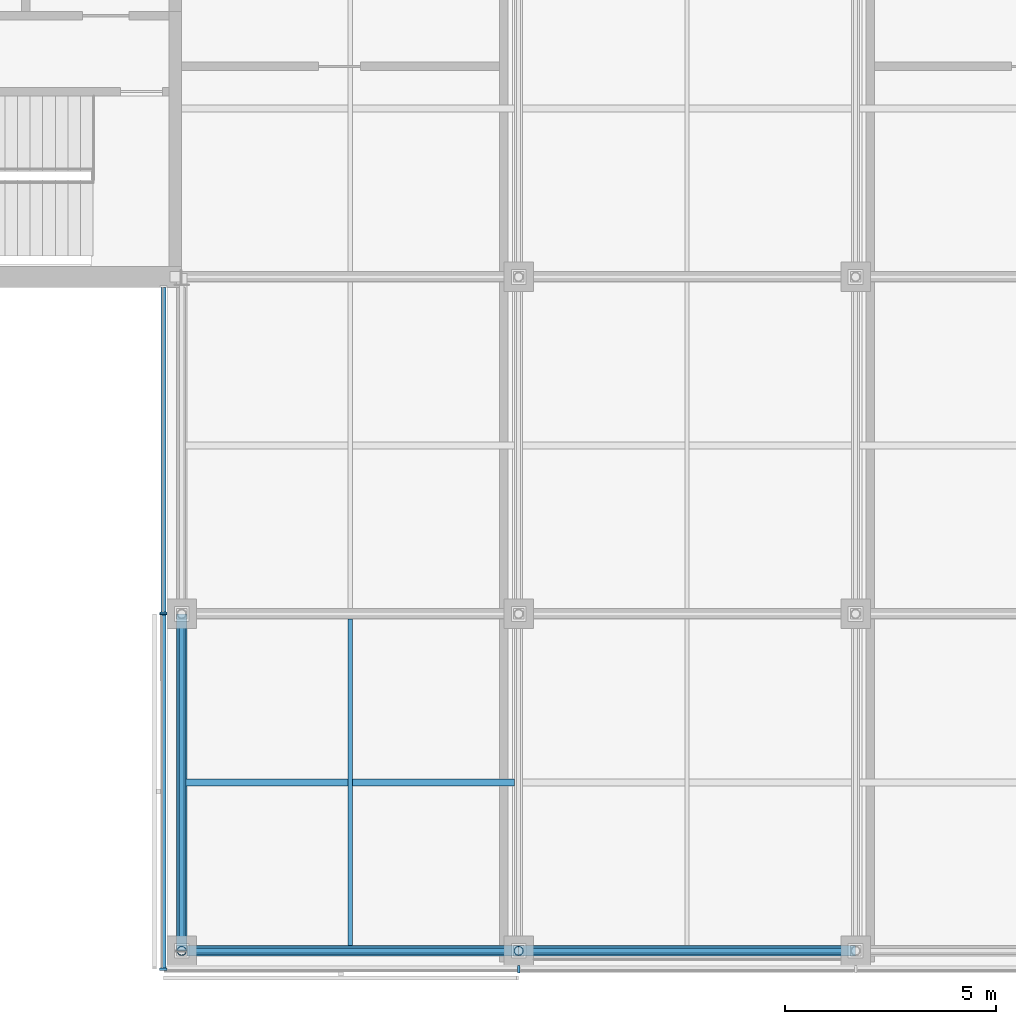
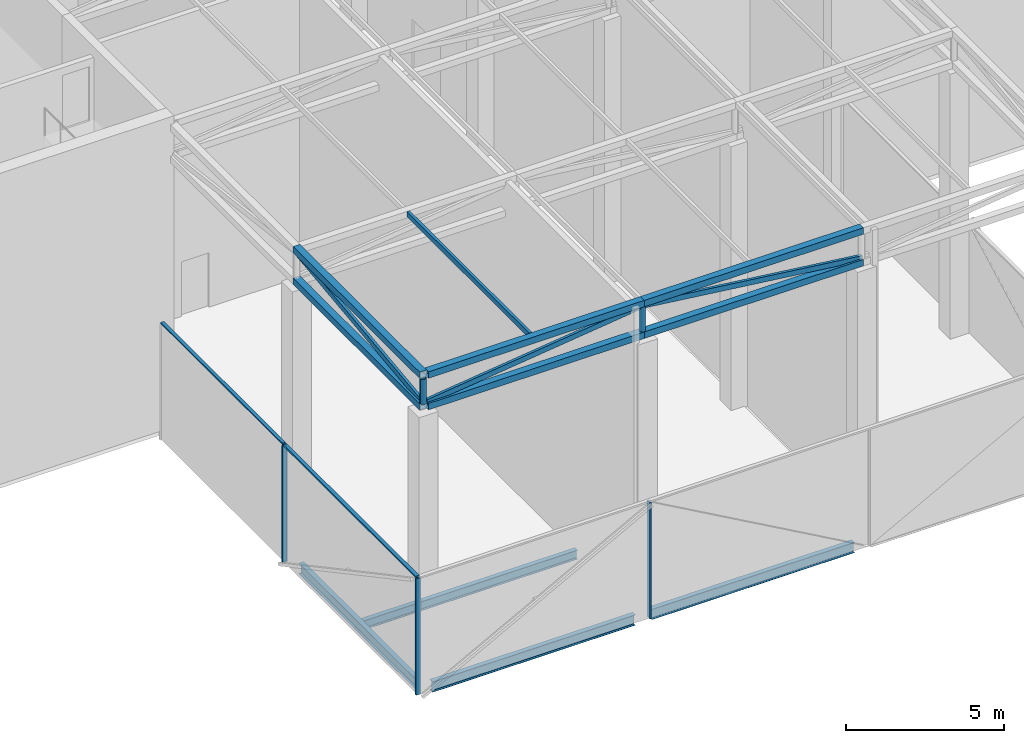
# One storey, part 2 of 23: 18 members, 4 beams, 3 elements without a shape of their own.
"""IFC4 building model written with IfcOpenShell, lengths in metres."""

from ifc_helpers import new_model, si_unit, direction, frame, origin, origin_2d, place, context, subcontext, project, spatial, rectangle, hollow_rectangle, hollow_circle, i_section, extrude, material, material_profile, profile_set, type_object, element, aggregate, save


model = new_model("IFC4")

# Units and contexts
model_context = context("Model", 3, precision=1e-05, world=origin(), true_north=direction((0.0, 1.0)))
body_context = subcontext(model_context, "Body", "Model", "MODEL_VIEW")
ifc_project = project(units=[si_unit("LENGTHUNIT", "METRE"), si_unit("AREAUNIT", "SQUARE_METRE"), si_unit("VOLUMEUNIT", "CUBIC_METRE"), si_unit("PLANEANGLEUNIT", "RADIAN"), si_unit("MASSUNIT", "GRAM", prefix="KILO")], contexts=[model_context])

# Site, building, storey
site_placement = place(None, origin())
site = spatial("IfcSite", under=ifc_project, at=site_placement, CompositionType="ELEMENT")
building_placement = place(site_placement, origin())
building = spatial("IfcBuilding", under=site, at=building_placement, Name="Crosswind Convention Tower", CompositionType="ELEMENT")
storey_placement = place(building_placement, frame((0.0, 0.0, 349.10009765625)))
storey = spatial("IfcBuildingStorey", under=building, at=storey_placement, Name="L76", CompositionType="ELEMENT", Elevation=349.10009765625)

# Beams
ifc_material_1 = material(Name="Steel S355", Category="steel")
ifc_material_profile_1 = material_profile(ifc_material_1, i_section(OverallWidth=0.177490234375, OverallDepth=0.402587890625, WebThickness=0.007568359375, FlangeThickness=0.010986328125, FilletRadius=0.01025390625, at=origin_2d()), Name="UB 406x178x54")
ifc_profile_set_1 = profile_set([ifc_material_profile_1], Name="Steel S355")
beam_type_1 = type_object("IfcBeamType", Name="Edge beam UB 406x178x54", PredefinedType="SPANDREL", material=ifc_profile_set_1)
for number, where, z_axis, x_axis, name in (
    (1, (113.0, 72.300048828125, -0.551513671875), (0.0, 1.0, 0.0), (-1.0, 0.0, 0.0), "B14 L76 edge beam 1"),
    (2, (113.300048828125, 72.0, -0.551513671875), (1.0, 0.0, 0.0), (0.0, 1.0, 0.0), "B14 L76 edge beam 5"),
    (3, (121.300048828125, 72.0, -0.551513671875), (1.0, 0.0, 0.0), (0.0, 1.0, 0.0), "B14 L76 edge beam 7"),
):
    element("IfcBeam", number, at=place(storey_placement, frame(where, z_axis=z_axis, x_axis=x_axis)), inside=storey, type_object=beam_type_1, Name=name, PredefinedType="SPANDREL", context=body_context, shape_type="SweptSolid", body=[
        extrude(i_section(OverallWidth=0.177490234375, OverallDepth=0.402587890625, WebThickness=0.007568359375, FlangeThickness=0.010986328125, FilletRadius=0.01025390625, at=origin_2d()), origin(), (0.0, 0.0, 1.0), 7.39990234375),
    ])

# Curtain wall, member
ifc_material_2 = material(Name="Aluminium unitised curtain wall", Category="aluminium")
curtain_wall_type_1 = type_object("IfcCurtainWallType", Name="CORE END SLOT WALL 160", PredefinedType="USERDEFINED", material=ifc_material_2)
curtain_wall_1_placement = place(storey_placement, origin())
curtain_wall_1 = element("IfcCurtainWall", 4, at=curtain_wall_1_placement, inside=storey, type_object=curtain_wall_type_1, Name="CW6 L76 S-W.1-1 slot", ObjectType="UNITISED", PredefinedType="USERDEFINED")
ifc_material_3 = material(Name="Aluminium mullion", Category="aluminium")
ifc_material_profile_2 = material_profile(ifc_material_3, rectangle(XDim=0.159912109375, YDim=0.050048828125, at=origin_2d()), Name="AL 160X50")
ifc_profile_set_2 = profile_set([ifc_material_profile_2], Name="Aluminium mullion")
member_type_1 = type_object("IfcMemberType", Name="MULLION 50X160", PredefinedType="MULLION", material=ifc_profile_set_2)
member_1_placement = place(storey_placement, frame((112.570068359375, 80.02490234375, -0.35009765625), z_axis=(0.0, 0.0, 1.0), x_axis=(-1.0, 0.0, 0.0)))
member_1 = element("IfcMember", 5, at=member_1_placement, type_object=member_type_1, Name="CW6 mullion 2", PredefinedType="MULLION", context=body_context, shape_type="SweptSolid", body=[
    extrude(rectangle(XDim=0.159912109375, YDim=0.050048828125, at=origin_2d()), origin(), (0.0, 0.0, 1.0), 4.5),
])

# Curtain wall, members
curtain_wall_type_2 = type_object("IfcCurtainWallType", Name="CROWN WINDBREAK WALL 180", PredefinedType="USERDEFINED", material=ifc_material_2)
curtain_wall_2_placement = place(storey_placement, origin())
curtain_wall_2 = element("IfcCurtainWall", 6, at=curtain_wall_2_placement, inside=storey, type_object=curtain_wall_type_2, Name="CW5 L76 S-W 1", ObjectType="UNITISED", PredefinedType="USERDEFINED")
ifc_material_profile_3 = material_profile(ifc_material_3, rectangle(XDim=0.179931640625, YDim=0.06005859375, at=origin_2d()), Name="AL 180X60")
ifc_profile_set_3 = profile_set([ifc_material_profile_3], Name="Aluminium mullion")
member_type_2 = type_object("IfcMemberType", Name="MULLION 60X180", PredefinedType="MULLION", material=ifc_profile_set_3)
member_2_placement = place(storey_placement, frame((112.56005859375, 80.0, -0.35009765625), z_axis=(0.0, 0.0, 1.0), x_axis=(-1.0, 0.0, 0.0)))
member_2 = element("IfcMember", 7, at=member_2_placement, type_object=member_type_2, Name="CW5 mullion 1", PredefinedType="MULLION", context=body_context, shape_type="SweptSolid", body=[
    extrude(rectangle(XDim=0.179931640625, YDim=0.06005859375, at=origin_2d()), origin(), (0.0, 0.0, 1.0), 4.489990234375),
])
member_3_placement = place(storey_placement, frame((112.56005859375, 71.56005859375, -0.35009765625), z_axis=(0.0, 0.0, 1.0), x_axis=(-1.0, 0.0, 0.0)))
member_3 = element("IfcMember", 8, at=member_3_placement, type_object=member_type_2, Name="CW5 mullion 2", PredefinedType="MULLION", context=body_context, shape_type="SweptSolid", body=[
    extrude(rectangle(XDim=0.179931640625, YDim=0.06005859375, at=origin_2d()), origin(), (0.0, 0.0, 1.0), 4.489990234375),
])

# Curtain wall, member
curtain_wall_3_placement = place(storey_placement, origin())
curtain_wall_3 = element("IfcCurtainWall", 9, at=curtain_wall_3_placement, inside=storey, type_object=curtain_wall_type_2, Name="CW5 L76 S-TIP 1", ObjectType="UNITISED", PredefinedType="USERDEFINED")
member_4_placement = place(storey_placement, frame((121.0, 71.56005859375, -0.35009765625), z_axis=(0.0, 0.0, 1.0), x_axis=(0.0, -1.0, 0.0)))
member_4 = element("IfcMember", 10, at=member_4_placement, type_object=member_type_2, Name="CW5 mullion 2", PredefinedType="MULLION", context=body_context, shape_type="SweptSolid", body=[
    extrude(rectangle(XDim=0.179931640625, YDim=0.06005859375, at=origin_2d()), origin(), (0.0, 0.0, 1.0), 4.489990234375),
])
aggregate(curtain_wall_3, [member_4])

# Members
ifc_material_profile_4 = material_profile(ifc_material_1, hollow_rectangle(XDim=0.10009765625, YDim=0.199951171875, WallThickness=0.010009765625, at=origin_2d()), Name="RHS 200x100x10.0")
ifc_profile_set_4 = profile_set([ifc_material_profile_4], Name="Steel S355")
member_type_3 = type_object("IfcMemberType", Name="Roof purlin RHS 200x100x10.0", PredefinedType="PURLIN", material=ifc_profile_set_4)
member_5_placement = place(storey_placement, frame((117.0, 72.125, 11.599853515625), z_axis=(0.0, 1.0, 0.0), x_axis=(-1.0, 0.0, 0.0)))
element("IfcMember", 11, at=member_5_placement, inside=storey, type_object=member_type_3, Name="M14 L76 roof purlin 1", PredefinedType="PURLIN", context=body_context, shape_type="SweptSolid", body=[
    extrude(hollow_rectangle(XDim=0.10009765625, YDim=0.199951171875, WallThickness=0.010009765625, at=origin_2d()), origin(), (0.0, 0.0, 1.0), 7.75),
])
ifc_material_profile_5 = material_profile(ifc_material_1, hollow_rectangle(XDim=0.25, YDim=0.25, WallThickness=0.010009765625, at=origin_2d()), Name="SHS 250x250x10.0")
ifc_profile_set_5 = profile_set([ifc_material_profile_5], Name="Steel S355")
member_type_4 = type_object("IfcMemberType", Name="Roof truss chord SHS 250x250x10.0", PredefinedType="CHORD", material=ifc_profile_set_5)
for number, where, z_axis, x_axis, name in (
    (12, (113.125, 72.0, 10.35498046875), (1.0, 0.0, 0.0), (0.0, 1.0, 0.0), "M11 L76 roof truss 1 bottom chord 1"),
    (13, (113.125, 72.0, 11.574951171875), (1.0, 0.0, 0.0), (0.0, 1.0, 0.0), "M11 L76 roof truss 1 top chord 1"),
):
    element("IfcMember", number, at=place(storey_placement, frame(where, z_axis=z_axis, x_axis=x_axis)), inside=storey, type_object=member_type_4, Name=name, PredefinedType="CHORD", context=body_context, shape_type="SweptSolid", body=[
        extrude(hollow_rectangle(XDim=0.25, YDim=0.25, WallThickness=0.010009765625, at=origin_2d()), origin(), (0.0, 0.0, 1.0), 7.875),
    ])
for number, where, z_axis, x_axis, name in (
    (14, (121.0, 72.0, 10.35498046875), (1.0, 0.0, 0.0), (0.0, 1.0, 0.0), "M11 L76 roof truss 1 bottom chord 2"),
    (15, (121.0, 72.0, 11.574951171875), (1.0, 0.0, 0.0), (0.0, 1.0, 0.0), "M11 L76 roof truss 1 top chord 2"),
    (16, (113.0, 72.0, 10.35498046875), (0.0, 1.0, 0.0), (-1.0, 0.0, 0.0), "M11 L76 roof truss 10 bottom chord 1"),
    (17, (113.0, 72.0, 11.574951171875), (0.0, 1.0, 0.0), (-1.0, 0.0, 0.0), "M11 L76 roof truss 10 top chord 1"),
):
    element("IfcMember", number, at=place(storey_placement, frame(where, z_axis=z_axis, x_axis=x_axis)), inside=storey, type_object=member_type_4, Name=name, PredefinedType="CHORD", context=body_context, shape_type="SweptSolid", body=[
        extrude(hollow_rectangle(XDim=0.25, YDim=0.25, WallThickness=0.010009765625, at=origin_2d()), origin(), (0.0, 0.0, 1.0), 8.0),
    ])
ifc_material_profile_6 = material_profile(ifc_material_1, hollow_rectangle(XDim=0.10009765625, YDim=0.199951171875, WallThickness=0.010009765625, at=origin_2d()), Name="RHS 200x100x10.0")
ifc_profile_set_6 = profile_set([ifc_material_profile_6], Name="Steel S355")
member_type_5 = type_object("IfcMemberType", Name="Roof truss diagonal RHS 200x100x10.0", PredefinedType="BRACE", material=ifc_profile_set_6)
member_6_placement = place(storey_placement, frame((113.125, 72.0, 10.47998046875), z_axis=(0.992499700374, 0.0, 0.122247064409), x_axis=(0.0, 1.0, 0.0)))
element("IfcMember", 18, at=member_6_placement, inside=storey, type_object=member_type_5, Name="M12 L76 roof truss 1 diagonal 1", PredefinedType="BRACE", context=body_context, shape_type="SweptSolid", body=[
    extrude(hollow_rectangle(XDim=0.10009765625, YDim=0.199951171875, WallThickness=0.010009765625, at=origin_2d()), origin(), (0.0, 0.0, 1.0), 7.9345703125),
])
for number, where, z_axis, x_axis, name in (
    (19, (121.0, 72.0, 11.449951171875), (0.992729723764, 0.0, -0.120364843522), (0.0, 1.0, 0.0), "M12 L76 roof truss 1 diagonal 2"),
    (20, (113.0, 72.0, 10.47998046875), (0.0, 0.992729723764, 0.120364843522), (-1.0, 0.0, 0.0), "M12 L76 roof truss 10 diagonal 1"),
):
    element("IfcMember", number, at=place(storey_placement, frame(where, z_axis=z_axis, x_axis=x_axis)), inside=storey, type_object=member_type_5, Name=name, PredefinedType="BRACE", context=body_context, shape_type="SweptSolid", body=[
        extrude(hollow_rectangle(XDim=0.10009765625, YDim=0.199951171875, WallThickness=0.010009765625, at=origin_2d()), origin(), (0.0, 0.0, 1.0), 8.05859375),
    ])
ifc_material_profile_7 = material_profile(ifc_material_1, hollow_circle(Radius=0.109619140625, WallThickness=0.010009765625, at=origin_2d()), Name="CHS 219.1x10.0")
ifc_profile_set_7 = profile_set([ifc_material_profile_7], Name="Steel S355")
member_type_6 = type_object("IfcMemberType", Name="Roof truss post CHS 219.1x10.0", PredefinedType="POST", material=ifc_profile_set_7)
for number, where, z_axis, x_axis, name in (
    (21, (121.0, 72.0, 10.47998046875), (0.0, 0.0, 1.0), (1.0, 0.0, 0.0), "M13 L76 roof truss 1 post 1"),
    (22, (113.0, 72.0, 10.47998046875), (0.0, 0.0, 1.0), (1.0, 0.0, 0.0), "M13 L76 roof truss 10 corner post"),
):
    element("IfcMember", number, at=place(storey_placement, frame(where, z_axis=z_axis, x_axis=x_axis)), inside=storey, type_object=member_type_6, Name=name, PredefinedType="POST", context=body_context, shape_type="SweptSolid", body=[
        extrude(hollow_circle(Radius=0.109619140625, WallThickness=0.010009765625, at=origin_2d()), origin(), (0.0, 0.0, 1.0), 0.969970703125),
    ])

# Beam
ifc_material_profile_8 = material_profile(ifc_material_1, i_section(OverallWidth=0.1708984375, OverallDepth=0.35205078125, WebThickness=0.0068359375, FlangeThickness=0.009765625, FilletRadius=0.01025390625, at=origin_2d()), Name="UB 356x171x45")
ifc_profile_set_8 = profile_set([ifc_material_profile_8], Name="Steel S355")
beam_type_2 = type_object("IfcBeamType", Name="Secondary beam UB 356x171x45", PredefinedType="JOIST", material=ifc_profile_set_8)
beam_placement = place(storey_placement, frame((113.0888671875, 76.0, -0.526123046875), z_axis=(1.0, 0.0, 0.0), x_axis=(0.0, 1.0, 0.0)))
element("IfcBeam", 23, at=beam_placement, inside=storey, type_object=beam_type_2, Name="B7 L76 secondary beam 4", PredefinedType="JOIST", context=body_context, shape_type="SweptSolid", body=[
    extrude(i_section(OverallWidth=0.1708984375, OverallDepth=0.35205078125, WebThickness=0.0068359375, FlangeThickness=0.009765625, FilletRadius=0.01025390625, at=origin_2d()), origin(), (0.0, 0.0, 1.0), 7.816162109375),
])

# Member
ifc_material_4 = material(Name="Aluminium transom", Category="aluminium")
ifc_material_profile_9 = material_profile(ifc_material_4, rectangle(XDim=0.1201171875, YDim=0.050048828125, at=origin_2d()), Name="AL 120X50")
ifc_profile_set_9 = profile_set([ifc_material_profile_9], Name="Aluminium transom")
member_type_7 = type_object("IfcMemberType", Name="TRANSOM 50X120", PredefinedType="USERDEFINED", material=ifc_profile_set_9)
member_7_placement = place(storey_placement, frame((112.570068359375, 87.75, 4.1748046875), z_axis=(0.0, -1.0, 0.0), x_axis=(1.0, 0.0, 0.0)))
member_7 = element("IfcMember", 24, at=member_7_placement, type_object=member_type_7, Name="CW6 transom", ObjectType="TRANSOM", PredefinedType="USERDEFINED", context=body_context, shape_type="SweptSolid", body=[
    extrude(rectangle(XDim=0.1201171875, YDim=0.050048828125, at=origin_2d()), origin(), (0.0, 0.0, 1.0), 7.699951171875),
])

aggregate(curtain_wall_1, [member_1, member_7])

ifc_material_profile_10 = material_profile(ifc_material_4, rectangle(XDim=0.1298828125, YDim=0.06005859375, at=origin_2d()), Name="AL 130X60")
ifc_profile_set_10 = profile_set([ifc_material_profile_10], Name="Aluminium transom")
member_type_8 = type_object("IfcMemberType", Name="TRANSOM 60X130", PredefinedType="USERDEFINED", material=ifc_profile_set_10)
member_8_placement = place(storey_placement, frame((112.56005859375, 79.969970703125, 4.169921875), z_axis=(0.0, -1.0, 0.0), x_axis=(1.0, 0.0, 0.0)))
member_8 = element("IfcMember", 25, at=member_8_placement, type_object=member_type_8, Name="CW5 transom", ObjectType="TRANSOM", PredefinedType="USERDEFINED", context=body_context, shape_type="SweptSolid", body=[
    extrude(rectangle(XDim=0.1298828125, YDim=0.06005859375, at=origin_2d()), origin(), (0.0, 0.0, 1.0), 8.3798828125),
])

aggregate(curtain_wall_2, [member_2, member_3, member_8])

save(model, "model.ifc")
